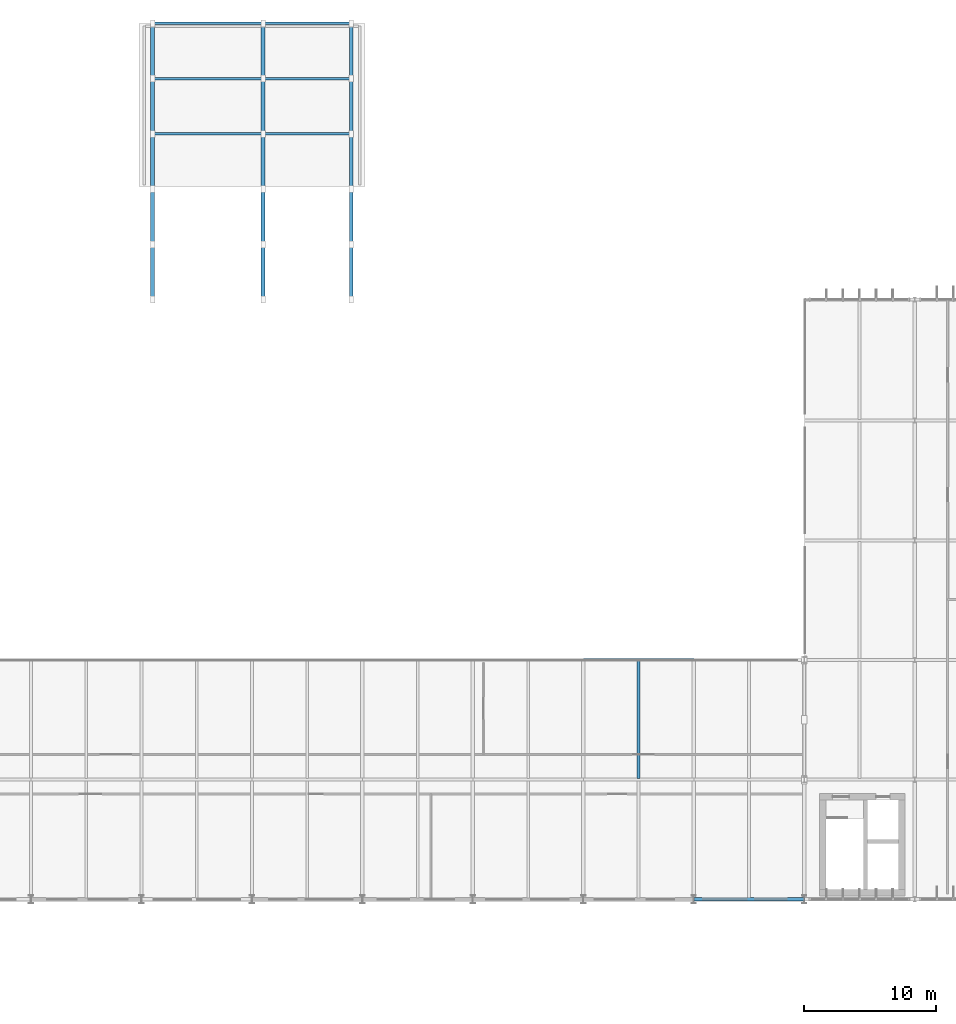
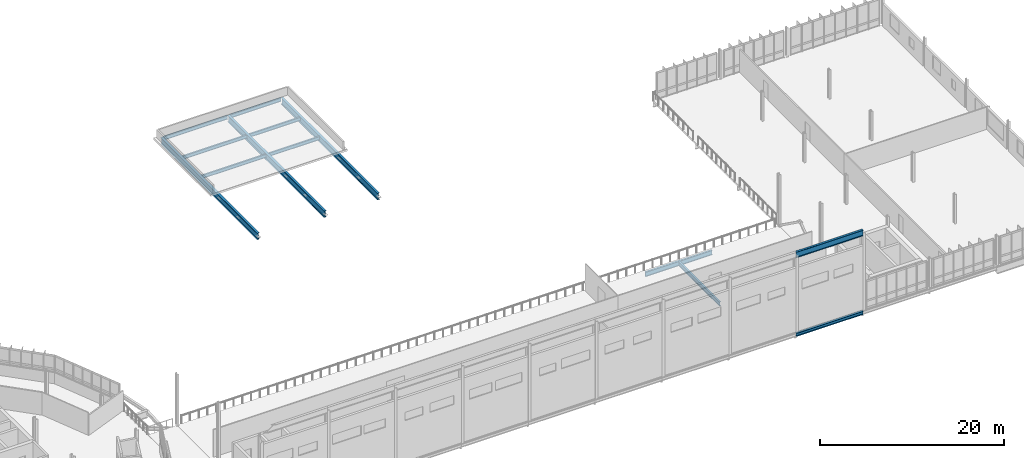
# One storey, part 31 of 61: 13 beams.
"""IFC4 building model written with IfcOpenShell, lengths in metres."""

from ifc_helpers import new_model, si_unit, derived_unit, direction, frame, origin, origin_2d, place, context, subcontext, project, spatial, i_section, extrude, material, material_profile, profile_set, type_object, element, save


model = new_model("IFC4")

# Units and contexts
model_context = context("Model", 3, precision=1e-05, world=origin(), true_north=direction((0.0, 1.0)))
body_context = subcontext(model_context, "Body", "Model", "MODEL_VIEW")
ifc_project = project(units=[si_unit("LENGTHUNIT", "METRE"), si_unit("AREAUNIT", "SQUARE_METRE"), si_unit("VOLUMEUNIT", "CUBIC_METRE"), si_unit("PLANEANGLEUNIT", "RADIAN"), si_unit("MASSUNIT", "GRAM", prefix="KILO"), derived_unit("THERMALTRANSMITTANCEUNIT", [(si_unit("MASSUNIT", "GRAM", prefix="KILO"), 1), (si_unit("TIMEUNIT", "SECOND"), -3), (si_unit("THERMODYNAMICTEMPERATUREUNIT", "KELVIN"), -1)])], contexts=[model_context])

# Site, building, storey
site_placement = place(None, origin())
site = spatial("IfcSite", under=ifc_project, at=site_placement, CompositionType="ELEMENT")
building_placement = place(site_placement, origin())
building = spatial("IfcBuilding", under=site, at=building_placement, Name="Makaiwela Harbour Ferry Terminal", CompositionType="ELEMENT")
storey_placement = place(building_placement, frame((0.0, 0.0, 13.800048828125)))
storey = spatial("IfcBuildingStorey", under=building, at=storey_placement, Name="L03", CompositionType="ELEMENT", Elevation=13.800048828125)

# Beams
ifc_material = material(Name="Steel ASTM A992 Grade 50", Category="steel")
ifc_material_profile_1 = material_profile(ifc_material, i_section(OverallWidth=0.2099609375, OverallDepth=0.537109375, WebThickness=0.010986328125, FlangeThickness=0.017333984375, at=origin_2d()), Name="W21X68")
ifc_profile_set_1 = profile_set([ifc_material_profile_1], Name="Steel ASTM A992 Grade 50")
beam_type_1 = type_object("IfcBeamType", Name="STR-BM-W21X68", PredefinedType="BEAM", material=ifc_profile_set_1)
beam_1_placement = place(storey_placement, frame((126.0, 58.596435546875, -0.508544921875), z_axis=(0.0, 1.0, 0.0), x_axis=(-1.0, 0.0, 0.0)))
element("IfcBeam", 1, at=beam_1_placement, inside=storey, type_object=beam_type_1, Name="Secondary floor beam 1647", PredefinedType="BEAM", context=body_context, shape_type="SweptSolid", body=[
    extrude(i_section(OverallWidth=0.2099609375, OverallDepth=0.537109375, WebThickness=0.010986328125, FlangeThickness=0.017333984375, at=origin_2d()), origin(), (0.0, 0.0, 1.0), 8.906982421875),
])
ifc_material_profile_2 = material_profile(ifc_material, i_section(OverallWidth=0.22900390625, OverallDepth=0.612060546875, WebThickness=0.011962890625, FlangeThickness=0.01953125, at=origin_2d()), Name="W24X84")
ifc_profile_set_2 = profile_set([ifc_material_profile_2], Name="Steel ASTM A992 Grade 50")
beam_type_2 = type_object("IfcBeamType", Name="STR-GRD-W24X84", PredefinedType="USERDEFINED", material=ifc_profile_set_2)
beam_2_placement = place(storey_placement, frame((121.800048828125, 67.60009765625, -0.546142578125), z_axis=(1.0, 0.0, 0.0), x_axis=(0.0, 1.0, 0.0)))
element("IfcBeam", 2, at=beam_2_placement, inside=storey, type_object=beam_type_2, Name="Primary X girder 1584", ObjectType="GIRDER", PredefinedType="USERDEFINED", context=body_context, shape_type="SweptSolid", body=[
    extrude(i_section(OverallWidth=0.22900390625, OverallDepth=0.612060546875, WebThickness=0.011962890625, FlangeThickness=0.01953125, at=origin_2d()), origin(), (0.0, 0.0, 1.0), 8.39990234375),
])
ifc_material_profile_3 = material_profile(ifc_material, i_section(OverallWidth=0.26806640625, OverallDepth=0.77001953125, WebThickness=0.015625, FlangeThickness=0.025390625, at=origin_2d()), Name="W30X132")
ifc_profile_set_3 = profile_set([ifc_material_profile_3], Name="Steel ASTM A992 Grade 50")
beam_type_3 = type_object("IfcBeamType", Name="STR-GRD-W30X132", PredefinedType="USERDEFINED", material=ifc_profile_set_3)
beam_3_placement = place(storey_placement, frame((130.199951171875, 49.39990234375, 10.14990234375), z_axis=(1.0, 0.0, 0.0), x_axis=(0.0, 1.0, 0.0)))
element("IfcBeam", 3, at=beam_3_placement, inside=storey, type_object=beam_type_3, Name="Vault crown ring girder G-9", ObjectType="GIRDER", PredefinedType="USERDEFINED", context=body_context, shape_type="SweptSolid", body=[
    extrude(i_section(OverallWidth=0.26806640625, OverallDepth=0.77001953125, WebThickness=0.015625, FlangeThickness=0.025390625, at=origin_2d()), origin(), (0.0, 0.0, 1.0), 8.400146484375),
])
ifc_material_profile_4 = material_profile(ifc_material, i_section(OverallWidth=0.2939453125, OverallDepth=0.85107421875, WebThickness=0.01611328125, FlangeThickness=0.02685546875, at=origin_2d()), Name="W33X152")
ifc_profile_set_4 = profile_set([ifc_material_profile_4], Name="Steel ASTM A992 Grade 50")
beam_type_4 = type_object("IfcBeamType", Name="STR-GRD-W33X152", PredefinedType="USERDEFINED", material=ifc_profile_set_4)
for number, where, z_axis, x_axis, name in (
    (4, (89.050048828125, 95.0, -0.66552734375), (0.0, 1.0, 0.0), (-1.0, 0.0, 0.0), "North bridge truss top chord 1"),
    (5, (97.449951171875, 95.0, -0.66552734375), (0.0, 1.0, 0.0), (-1.0, 0.0, 0.0), "North bridge truss top chord 2"),
    (6, (104.14990234375, 95.0, -0.66552734375), (0.0, 1.0, 0.0), (-1.0, 0.0, 0.0), "North bridge truss top chord 3"),
):
    element("IfcBeam", number, at=place(storey_placement, frame(where, z_axis=z_axis, x_axis=x_axis)), inside=storey, type_object=beam_type_4, Name=name, ObjectType="GIRDER", PredefinedType="USERDEFINED", context=body_context, shape_type="SweptSolid", body=[
        extrude(i_section(OverallWidth=0.2939453125, OverallDepth=0.85107421875, WebThickness=0.01611328125, FlangeThickness=0.02685546875, at=origin_2d()), origin(), (0.0, 0.0, 1.0), 21.0),
    ])
ifc_material_profile_5 = material_profile(ifc_material, i_section(OverallWidth=0.18994140625, OverallDepth=0.45703125, WebThickness=0.009033203125, FlangeThickness=0.014404296875, at=origin_2d()), Name="W18X50")
ifc_profile_set_5 = profile_set([ifc_material_profile_5], Name="Steel ASTM A992 Grade 50")
beam_type_5 = type_object("IfcBeamType", Name="STR-JST-W18X50", PredefinedType="JOIST", material=ifc_profile_set_5)
beam_4_placement = place(storey_placement, frame((89.19091796875, 107.60009765625, -0.468505859375), z_axis=(1.0, 0.0, 0.0), x_axis=(0.0, 1.0, 0.0)))
element("IfcBeam", 7, at=beam_4_placement, inside=storey, type_object=beam_type_5, Name="Structural Beam J-01", PredefinedType="JOIST", context=body_context, shape_type="SweptSolid", body=[
    extrude(i_section(OverallWidth=0.18994140625, OverallDepth=0.45703125, WebThickness=0.009033203125, FlangeThickness=0.014404296875, at=origin_2d()), origin(), (0.0, 0.0, 1.0), 8.1181640625),
])
beam_5_placement = place(storey_placement, frame((97.591064453125, 107.60009765625, -0.468505859375), z_axis=(1.0, 0.0, 0.0), x_axis=(0.0, 1.0, 0.0)))
element("IfcBeam", 8, at=beam_5_placement, inside=storey, type_object=beam_type_5, Name="Structural Beam J-01", PredefinedType="JOIST", context=body_context, shape_type="SweptSolid", body=[
    extrude(i_section(OverallWidth=0.18994140625, OverallDepth=0.45703125, WebThickness=0.009033203125, FlangeThickness=0.014404296875, at=origin_2d()), origin(), (0.0, 0.0, 1.0), 6.41796875),
])
beam_6_placement = place(storey_placement, frame((89.19091796875, 111.800048828125, -0.468505859375), z_axis=(1.0, 0.0, 0.0), x_axis=(0.0, 1.0, 0.0)))
element("IfcBeam", 9, at=beam_6_placement, inside=storey, type_object=beam_type_5, Name="Structural Beam J-01", PredefinedType="JOIST", context=body_context, shape_type="SweptSolid", body=[
    extrude(i_section(OverallWidth=0.18994140625, OverallDepth=0.45703125, WebThickness=0.009033203125, FlangeThickness=0.014404296875, at=origin_2d()), origin(), (0.0, 0.0, 1.0), 8.1181640625),
])
beam_7_placement = place(storey_placement, frame((97.591064453125, 111.800048828125, -0.468505859375), z_axis=(1.0, 0.0, 0.0), x_axis=(0.0, 1.0, 0.0)))
element("IfcBeam", 10, at=beam_7_placement, inside=storey, type_object=beam_type_5, Name="Structural Beam J-01", PredefinedType="JOIST", context=body_context, shape_type="SweptSolid", body=[
    extrude(i_section(OverallWidth=0.18994140625, OverallDepth=0.45703125, WebThickness=0.009033203125, FlangeThickness=0.014404296875, at=origin_2d()), origin(), (0.0, 0.0, 1.0), 6.41796875),
])
beam_8_placement = place(storey_placement, frame((89.19091796875, 116.0, -0.468505859375), z_axis=(1.0, 0.0, 0.0), x_axis=(0.0, 1.0, 0.0)))
element("IfcBeam", 11, at=beam_8_placement, inside=storey, type_object=beam_type_5, Name="Structural Beam J-01", PredefinedType="JOIST", context=body_context, shape_type="SweptSolid", body=[
    extrude(i_section(OverallWidth=0.18994140625, OverallDepth=0.45703125, WebThickness=0.009033203125, FlangeThickness=0.014404296875, at=origin_2d()), origin(), (0.0, 0.0, 1.0), 8.1181640625),
])
beam_9_placement = place(storey_placement, frame((97.591064453125, 116.0, -0.468505859375), z_axis=(1.0, 0.0, 0.0), x_axis=(0.0, 1.0, 0.0)))
element("IfcBeam", 12, at=beam_9_placement, inside=storey, type_object=beam_type_5, Name="Structural Beam J-01", PredefinedType="JOIST", context=body_context, shape_type="SweptSolid", body=[
    extrude(i_section(OverallWidth=0.18994140625, OverallDepth=0.45703125, WebThickness=0.009033203125, FlangeThickness=0.014404296875, at=origin_2d()), origin(), (0.0, 0.0, 1.0), 6.41796875),
])
ifc_material_profile_6 = material_profile(ifc_material, i_section(OverallWidth=0.264892578125, OverallDepth=0.430908203125, WebThickness=0.014892578125, FlangeThickness=0.02490234375, at=origin_2d()), Name="W16X100")
ifc_profile_set_6 = profile_set([ifc_material_profile_6], Name="Steel ASTM A992 Grade 50")
beam_type_6 = type_object("IfcBeamType", Name="STR-SPN-W16X100", PredefinedType="SPANDREL", material=ifc_profile_set_6)
beam_10_placement = place(storey_placement, frame((130.199951171875, 49.39990234375, -0.45556640625), z_axis=(1.0, 0.0, 0.0), x_axis=(0.0, 1.0, 0.0)))
element("IfcBeam", 13, at=beam_10_placement, inside=storey, type_object=beam_type_6, Name="Primary X girder 1561", PredefinedType="SPANDREL", context=body_context, shape_type="SweptSolid", body=[
    extrude(i_section(OverallWidth=0.264892578125, OverallDepth=0.430908203125, WebThickness=0.014892578125, FlangeThickness=0.02490234375, at=origin_2d()), origin(), (0.0, 0.0, 1.0), 8.400146484375),
])

save(model, "model.ifc")
